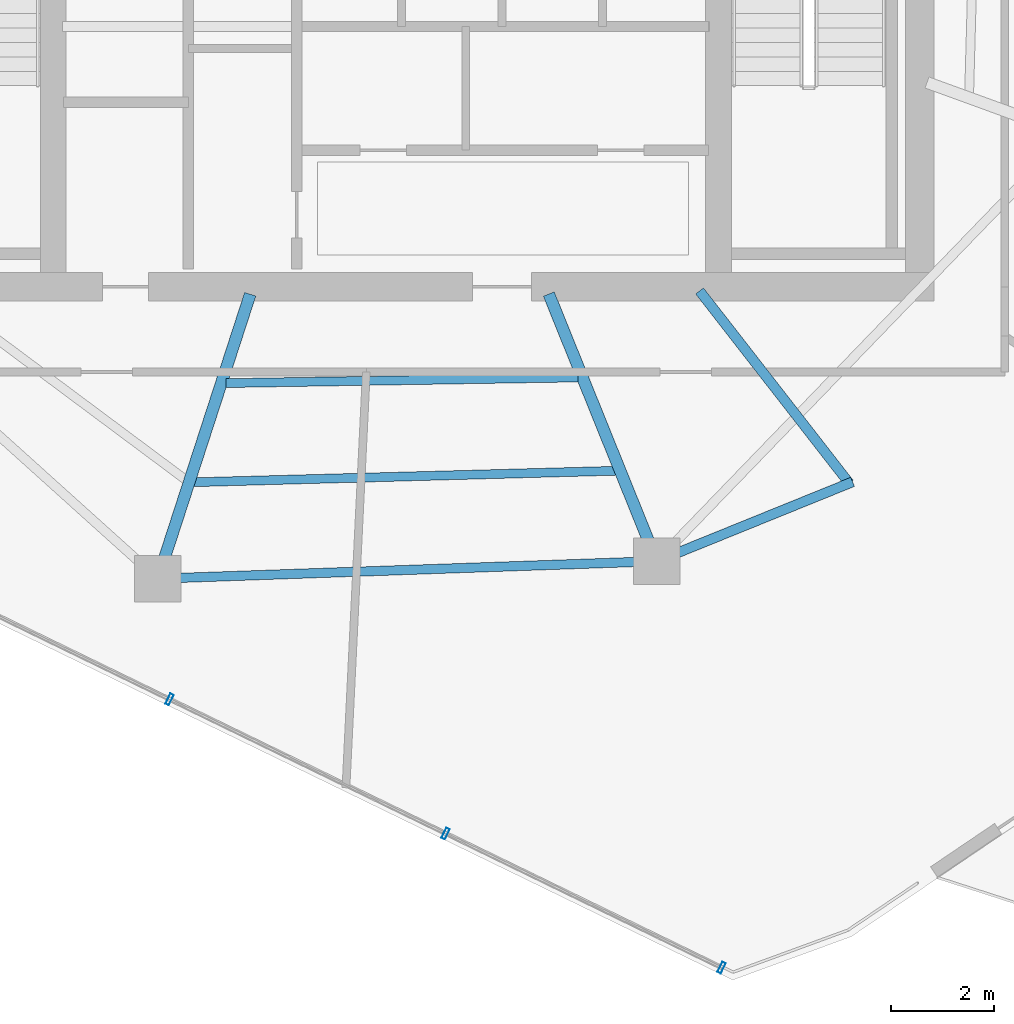
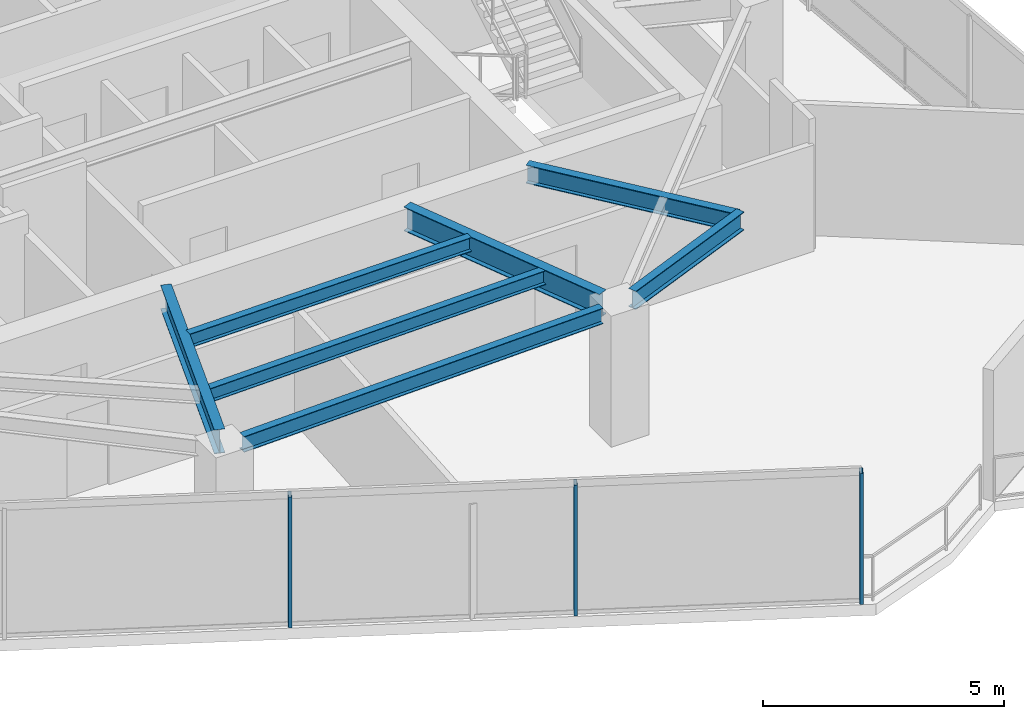
# One storey, part 5 of 20: 7 beams, 3 members, 1 element without a shape of its own.
"""IFC4 building model written with IfcOpenShell, lengths in metres."""

from ifc_helpers import new_model, si_unit, direction, frame, origin, origin_2d, place, context, subcontext, project, spatial, hollow_rectangle, i_section, extrude, material, layer, layer_set, material_profile, profile_set, type_object, element, aggregate, save


model = new_model("IFC4")

# Units and contexts
model_context = context("Model", 3, precision=1e-05, world=origin(), true_north=direction((0.0, 1.0)))
body_context = subcontext(model_context, "Body", "Model", "MODEL_VIEW")
ifc_project = project(units=[si_unit("LENGTHUNIT", "METRE"), si_unit("AREAUNIT", "SQUARE_METRE"), si_unit("VOLUMEUNIT", "CUBIC_METRE"), si_unit("PLANEANGLEUNIT", "RADIAN"), si_unit("MASSUNIT", "GRAM", prefix="KILO")], contexts=[model_context])

# Site, building, storey
site_placement = place(None, origin())
site = spatial("IfcSite", under=ifc_project, at=site_placement, CompositionType="ELEMENT")
building_placement = place(site_placement, origin())
building = spatial("IfcBuilding", under=site, at=building_placement, Name="Qarnah Convention Tower", CompositionType="ELEMENT")
storey_placement = place(building_placement, frame((0.0, 0.0, 195.0)))
storey = spatial("IfcBuildingStorey", under=building, at=storey_placement, Name="L52", CompositionType="ELEMENT", Elevation=195.0)

# Beams
ifc_material_1 = material(Name="Structural steel S355JR", Category="steel")
ifc_material_profile_1 = material_profile(ifc_material_1, i_section(OverallWidth=0.19189453125, OverallDepth=0.464111328125, WebThickness=0.010986328125, FlangeThickness=0.01806640625, at=origin_2d()), Name="W460X89")
ifc_profile_set_1 = profile_set([ifc_material_profile_1], Name="Structural steel S355JR")
beam_type_1 = type_object("IfcBeamType", Name="BM-CANT-W460A", PredefinedType="BEAM", material=ifc_profile_set_1)
beam_1_placement = place(storey_placement, frame((43.3310546875, 18.52099609375, 3.087890625), z_axis=(0.614241094698, -0.789118417973, 0.0), x_axis=(0.789118417973, 0.614241094698, 0.0)))
element("IfcBeam", 1, at=beam_1_placement, inside=storey, type_object=beam_type_1, Name="L52 beam BM-L52-CNT-03-1", PredefinedType="BEAM", context=body_context, shape_type="SweptSolid", body=[
    extrude(i_section(OverallWidth=0.19189453125, OverallDepth=0.464111328125, WebThickness=0.010986328125, FlangeThickness=0.01806640625, at=origin_2d()), origin(), (0.0, 0.0, 1.0), 4.724365234375),
])
beam_2_placement = place(storey_placement, frame((46.298095703125, 14.819091796875, 3.087890625), z_axis=(-0.926735498901, -0.375714406268, 0.0), x_axis=(0.375714406268, -0.926735498901, 0.0)))
element("IfcBeam", 2, at=beam_2_placement, inside=storey, type_object=beam_type_1, Name="L52 spandrel BM-L52-CTIE-03", PredefinedType="SPANDREL", context=body_context, shape_type="SweptSolid", body=[
    extrude(i_section(OverallWidth=0.19189453125, OverallDepth=0.464111328125, WebThickness=0.010986328125, FlangeThickness=0.01806640625, at=origin_2d()), origin(), (0.0, 0.0, 1.0), 3.656982421875),
])
ifc_material_profile_2 = material_profile(ifc_material_1, i_section(OverallWidth=0.172119140625, OverallDepth=0.35595703125, WebThickness=0.007080078125, FlangeThickness=0.011962890625, at=origin_2d()), Name="W360X51")
ifc_profile_set_2 = profile_set([ifc_material_profile_2], Name="Structural steel S355JR")
beam_type_2 = type_object("IfcBeamType", Name="BM-JST-W360", PredefinedType="JOIST", material=ifc_profile_set_2)
beam_3_placement = place(storey_placement, frame((33.52392578125, 14.81201171875, 3.14208984375), z_axis=(0.999632001403, 0.027126772227, 0.0), x_axis=(-0.027126772227, 0.999632001403, 0.0)))
element("IfcBeam", 3, at=beam_3_placement, inside=storey, type_object=beam_type_2, Name="L52 joist BM-L52-SJST-07", PredefinedType="JOIST", context=body_context, shape_type="SweptSolid", body=[
    extrude(i_section(OverallWidth=0.172119140625, OverallDepth=0.35595703125, WebThickness=0.007080078125, FlangeThickness=0.011962890625, at=origin_2d()), origin(), (0.0, 0.0, 1.0), 8.180908203125),
])
beam_4_placement = place(storey_placement, frame((34.14794921875, 16.73388671875, 3.14208984375), z_axis=(0.999872111544, 0.015992515614, 0.0), x_axis=(-0.015992515614, 0.999872111544, 0.0)))
element("IfcBeam", 4, at=beam_4_placement, inside=storey, type_object=beam_type_2, Name="L52 joist BM-L52-IJST-07", PredefinedType="JOIST", context=body_context, shape_type="SweptSolid", body=[
    extrude(i_section(OverallWidth=0.172119140625, OverallDepth=0.35595703125, WebThickness=0.007080078125, FlangeThickness=0.011962890625, at=origin_2d()), origin(), (0.0, 0.0, 1.0), 6.823974609375),
])
ifc_material_profile_3 = material_profile(ifc_material_1, i_section(OverallWidth=0.22802734375, OverallDepth=0.60791015625, WebThickness=0.010986328125, FlangeThickness=0.01708984375, at=origin_2d()), Name="W610X113")
ifc_profile_set_3 = profile_set([ifc_material_profile_3], Name="Structural steel S355JR")
beam_type_3 = type_object("IfcBeamType", Name="BM-RAD-W610B", PredefinedType="BEAM", material=ifc_profile_set_3)
beam_5_placement = place(storey_placement, frame((34.618896484375, 18.45703125, 3.01611328125), z_axis=(-0.309055218988, -0.951044095516, 0.0), x_axis=(0.951044095516, -0.309055218988, 0.0)))
element("IfcBeam", 5, at=beam_5_placement, inside=storey, type_object=beam_type_3, Name="L52 beam BM-L52-RAD-07", PredefinedType="BEAM", context=body_context, shape_type="SweptSolid", body=[
    extrude(i_section(OverallWidth=0.22802734375, OverallDepth=0.60791015625, WebThickness=0.010986328125, FlangeThickness=0.01708984375, at=origin_2d()), origin(), (0.0, 0.0, 1.0), 5.36767578125),
])
beam_6_placement = place(storey_placement, frame((40.407958984375, 18.4609375, 3.01611328125), z_axis=(0.374620360642, -0.927178292127, 0.0), x_axis=(0.927178292127, 0.374620360642, 0.0)))
element("IfcBeam", 6, at=beam_6_placement, inside=storey, type_object=beam_type_3, Name="L52 beam BM-L52-RAD-08", PredefinedType="BEAM", context=body_context, shape_type="SweptSolid", body=[
    extrude(i_section(OverallWidth=0.22802734375, OverallDepth=0.60791015625, WebThickness=0.010986328125, FlangeThickness=0.01708984375, at=origin_2d()), origin(), (0.0, 0.0, 1.0), 5.157470703125),
])
ifc_material_profile_4 = material_profile(ifc_material_1, i_section(OverallWidth=0.179931640625, OverallDepth=0.39990234375, WebThickness=0.009033203125, FlangeThickness=0.013916015625, at=origin_2d()), Name="IPE400")
ifc_profile_set_4 = profile_set([ifc_material_profile_4], Name="Structural steel S355JR")
beam_type_4 = type_object("IfcBeamType", Name="BM-SPN-IPE400", PredefinedType="SPANDREL", material=ifc_profile_set_4)
beam_7_placement = place(storey_placement, frame((33.26708984375, 12.9580078125, 3.1201171875), z_axis=(0.999391645542, 0.034876049374, 0.0), x_axis=(-0.034876049374, 0.999391645542, 0.0)))
element("IfcBeam", 7, at=beam_7_placement, inside=storey, type_object=beam_type_4, Name="L52 spandrel BM-L52-SPN-07", PredefinedType="SPANDREL", context=body_context, shape_type="SweptSolid", body=[
    extrude(i_section(OverallWidth=0.179931640625, OverallDepth=0.39990234375, WebThickness=0.009033203125, FlangeThickness=0.013916015625, at=origin_2d()), origin(), (0.0, 0.0, 1.0), 8.79931640625),
])

# Curtain wall, members
ifc_material_2 = material(Name="Tempered Low-E dark glass", Category="glass")
ifc_layer = layer(ifc_material_2, 0.174072265625)
ifc_layer_set = layer_set([ifc_layer], Name="Tempered Low-E dark glass")
curtain_wall_type = type_object("IfcCurtainWallType", Name="CWS-04", PredefinedType="NOTDEFINED", material=ifc_layer_set)
curtain_wall_placement = place(storey_placement, origin())
curtain_wall = element("IfcCurtainWall", 8, at=curtain_wall_placement, inside=storey, type_object=curtain_wall_type, Name="L52 unitised curtain wall CW-L52-F2", PredefinedType="NOTDEFINED")
ifc_material_3 = material(Name="Black anodised aluminium", Category="aluminium")
ifc_material_profile_5 = material_profile(ifc_material_3, hollow_rectangle(XDim=0.074951171875, YDim=0.219970703125, WallThickness=0.0048828125, at=origin_2d()), Name="MUL-75X220")
ifc_profile_set_5 = profile_set([ifc_material_profile_5], Name="Black anodised aluminium")
member_type = type_object("IfcMemberType", Name="MUL-T4", PredefinedType="MULLION", material=ifc_profile_set_5)
member_1_placement = place(storey_placement, frame((43.758056640625, 5.39990234375, 0.0), z_axis=(0.0, 0.0, 1.0), x_axis=(-0.899399056639, 0.437128513044, 0.0)))
member_1 = element("IfcMember", 9, at=member_1_placement, type_object=member_type, Name="CW-L52-F2 mullion 1", PredefinedType="MULLION", context=body_context, shape_type="SweptSolid", body=[
    extrude(hollow_rectangle(XDim=0.074951171875, YDim=0.219970703125, WallThickness=0.0048828125, at=origin_2d()), origin(), (0.0, 0.0, 1.0), 3.320068359375),
])
member_2_placement = place(storey_placement, frame((38.406494140625, 8.0009765625, 0.0), z_axis=(0.0, 0.0, 1.0), x_axis=(-0.899399056639, 0.437128513044, 0.0)))
member_2 = element("IfcMember", 10, at=member_2_placement, type_object=member_type, Name="CW-L52-F2 mullion 2", PredefinedType="MULLION", context=body_context, shape_type="SweptSolid", body=[
    extrude(hollow_rectangle(XDim=0.074951171875, YDim=0.219970703125, WallThickness=0.0048828125, at=origin_2d()), origin(), (0.0, 0.0, 1.0), 3.320068359375),
])
member_3_placement = place(storey_placement, frame((33.0546875, 10.60205078125, 0.0), z_axis=(0.0, 0.0, 1.0), x_axis=(-0.899399056639, 0.437128513044, 0.0)))
member_3 = element("IfcMember", 11, at=member_3_placement, type_object=member_type, Name="CW-L52-F2 mullion 3", PredefinedType="MULLION", context=body_context, shape_type="SweptSolid", body=[
    extrude(hollow_rectangle(XDim=0.074951171875, YDim=0.219970703125, WallThickness=0.0048828125, at=origin_2d()), origin(), (0.0, 0.0, 1.0), 3.320068359375),
])
aggregate(curtain_wall, [member_1, member_2, member_3])

save(model, "model.ifc")
